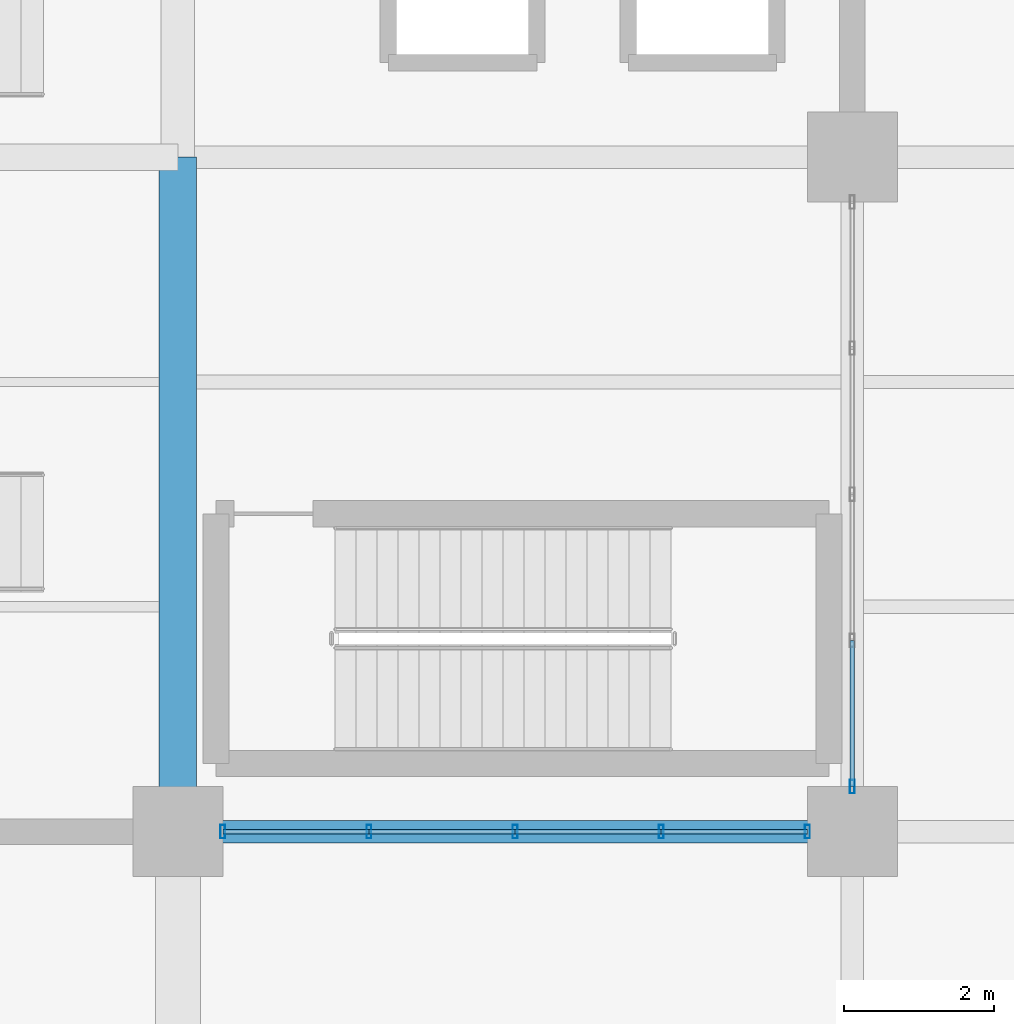
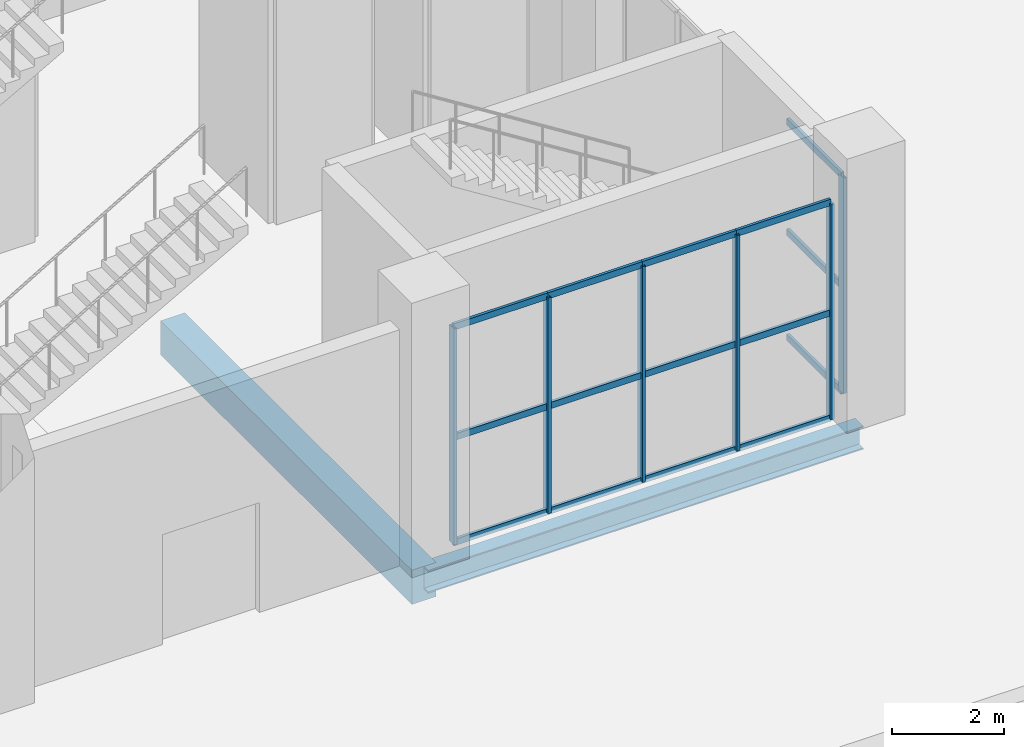
# One storey, part 35 of 144: 21 members, 2 beams, 2 elements without a shape of their own.
"""IFC4 building model written with IfcOpenShell, lengths in metres."""

from ifc_helpers import new_model, si_unit, direction, frame, origin, origin_2d, place, context, subcontext, project, spatial, rectangle, hollow_rectangle, i_section, extrude, material, layer, layer_set, material_profile, profile_set, type_object, element, aggregate, save


model = new_model("IFC4")

# Units and contexts
model_context = context("Model", 3, precision=1e-05, world=origin(), true_north=direction((0.0, 1.0)))
body_context = subcontext(model_context, "Body", "Model", "MODEL_VIEW")
ifc_project = project(units=[si_unit("LENGTHUNIT", "METRE"), si_unit("AREAUNIT", "SQUARE_METRE"), si_unit("VOLUMEUNIT", "CUBIC_METRE"), si_unit("PLANEANGLEUNIT", "RADIAN"), si_unit("MASSUNIT", "GRAM", prefix="KILO")], contexts=[model_context])

# Site, building, storey
site_placement = place(None, origin())
site = spatial("IfcSite", under=ifc_project, at=site_placement, CompositionType="ELEMENT")
building_placement = place(site_placement, origin())
building = spatial("IfcBuilding", under=site, at=building_placement, Name="Sundgate Opera House", CompositionType="ELEMENT")
storey_placement = place(building_placement, origin())
storey = spatial("IfcBuildingStorey", under=building, at=storey_placement, Name="L00", CompositionType="ELEMENT", Elevation=0.0)

# Beams
ifc_material_1 = material(Name="Steel S355J2", Category="steel")
ifc_material_profile_1 = material_profile(ifc_material_1, i_section(OverallWidth=0.300048828125, OverallDepth=0.5, WebThickness=0.014404296875, FlangeThickness=0.028076171875, at=origin_2d()), Name="HEB 500")
ifc_profile_set_1 = profile_set([ifc_material_profile_1], Name="Steel S355J2")
beam_type_1 = type_object("IfcBeamType", Name="BM-GR-HEB500", PredefinedType="BEAM", material=ifc_profile_set_1)
beam_1_placement = place(storey_placement, frame((63.0, 42.0, -0.570068359375), z_axis=(1.0, 0.0, 0.0), x_axis=(0.0, 1.0, 0.0)))
element("IfcBeam", 1, at=beam_1_placement, inside=storey, type_object=beam_type_1, Name="L00 Primary E-W Girder B0414", PredefinedType="BEAM", context=body_context, shape_type="SweptSolid", body=[
    extrude(i_section(OverallWidth=0.300048828125, OverallDepth=0.5, WebThickness=0.014404296875, FlangeThickness=0.028076171875, at=origin_2d()), origin(), (0.0, 0.0, 1.0), 9.0),
])
ifc_material_2 = material(Name="Concrete C40/50", Category="concrete")
ifc_material_profile_2 = material_profile(ifc_material_2, rectangle(XDim=0.5, YDim=0.75, at=origin_2d()), Name="RC 500x750")
ifc_profile_set_2 = profile_set([ifc_material_profile_2], Name="Concrete C40/50")
beam_type_2 = type_object("IfcBeamType", Name="BM-RC-500x750", PredefinedType="BEAM", material=ifc_profile_set_2)
beam_2_placement = place(storey_placement, frame((63.0, 42.0, -0.695068359375), z_axis=(0.0, 1.0, 0.0), x_axis=(-1.0, 0.0, 0.0)))
element("IfcBeam", 2, at=beam_2_placement, inside=storey, type_object=beam_type_2, Name="L00 Primary N-S Girder B0143", PredefinedType="BEAM", context=body_context, shape_type="SweptSolid", body=[
    extrude(rectangle(XDim=0.5, YDim=0.75, at=origin_2d()), origin(), (0.0, 0.0, 1.0), 9.0),
])

# Curtain wall, members
ifc_material_3 = material(Name="Anodized aluminium and low-iron glass", Category="aluminium")
ifc_layer = layer(ifc_material_3, 0.179931640625)
ifc_layer_set = layer_set([ifc_layer], Name="Anodized aluminium and low-iron glass")
curtain_wall_type = type_object("IfcCurtainWallType", Name="CW-FOYER-GLASS", PredefinedType="NOTDEFINED", material=ifc_layer_set)
curtain_wall_1_placement = place(storey_placement, origin())
curtain_wall_1 = element("IfcCurtainWall", 3, at=curtain_wall_1_placement, inside=storey, type_object=curtain_wall_type, Name="L00 Curtain Wall CW002", PredefinedType="NOTDEFINED")
ifc_material_4 = material(Name="Anodized aluminium EN AW-6063", Category="aluminium")
ifc_material_profile_3 = material_profile(ifc_material_4, hollow_rectangle(XDim=0.06494140625, YDim=0.179931640625, WallThickness=0.00390625, at=origin_2d()), Name="CWM 180x65x4")
ifc_profile_set_3 = profile_set([ifc_material_profile_3], Name="Anodized aluminium EN AW-6063")
member_type_1 = type_object("IfcMemberType", Name="CWM-ALU-180x65", PredefinedType="MULLION", material=ifc_profile_set_3)
member_1_placement = place(storey_placement, frame((71.39990234375, 42.0, 0.0), z_axis=(0.0, 0.0, 1.0), x_axis=(1.0, 0.0, 0.0)))
member_1 = element("IfcMember", 4, at=member_1_placement, type_object=member_type_1, Name="CW002 Mullion 1", PredefinedType="MULLION", context=body_context, shape_type="SweptSolid", body=[
    extrude(hollow_rectangle(XDim=0.06494140625, YDim=0.179931640625, WallThickness=0.00390625, at=origin_2d()), origin(), (0.0, 0.0, 1.0), 4.715087890625),
])
member_2_placement = place(storey_placement, frame((69.449951171875, 42.0, 0.0), z_axis=(0.0, 0.0, 1.0), x_axis=(1.0, 0.0, 0.0)))
member_2 = element("IfcMember", 5, at=member_2_placement, type_object=member_type_1, Name="CW002 Mullion 2", PredefinedType="MULLION", context=body_context, shape_type="SweptSolid", body=[
    extrude(hollow_rectangle(XDim=0.06494140625, YDim=0.179931640625, WallThickness=0.00390625, at=origin_2d()), origin(), (0.0, 0.0, 1.0), 4.715087890625),
])
member_3_placement = place(storey_placement, frame((67.5, 42.0, 0.0), z_axis=(0.0, 0.0, 1.0), x_axis=(1.0, 0.0, 0.0)))
member_3 = element("IfcMember", 6, at=member_3_placement, type_object=member_type_1, Name="CW002 Mullion 3", PredefinedType="MULLION", context=body_context, shape_type="SweptSolid", body=[
    extrude(hollow_rectangle(XDim=0.06494140625, YDim=0.179931640625, WallThickness=0.00390625, at=origin_2d()), origin(), (0.0, 0.0, 1.0), 4.715087890625),
])
member_4_placement = place(storey_placement, frame((65.550048828125, 42.0, 0.0), z_axis=(0.0, 0.0, 1.0), x_axis=(1.0, 0.0, 0.0)))
member_4 = element("IfcMember", 7, at=member_4_placement, type_object=member_type_1, Name="CW002 Mullion 4", PredefinedType="MULLION", context=body_context, shape_type="SweptSolid", body=[
    extrude(hollow_rectangle(XDim=0.06494140625, YDim=0.179931640625, WallThickness=0.00390625, at=origin_2d()), origin(), (0.0, 0.0, 1.0), 4.715087890625),
])
member_5_placement = place(storey_placement, frame((63.60009765625, 42.0, 0.0), z_axis=(0.0, 0.0, 1.0), x_axis=(1.0, 0.0, 0.0)))
member_5 = element("IfcMember", 8, at=member_5_placement, type_object=member_type_1, Name="CW002 Mullion 5", PredefinedType="MULLION", context=body_context, shape_type="SweptSolid", body=[
    extrude(hollow_rectangle(XDim=0.06494140625, YDim=0.179931640625, WallThickness=0.00390625, at=origin_2d()), origin(), (0.0, 0.0, 1.0), 4.715087890625),
])

# Curtain wall, member
curtain_wall_2_placement = place(storey_placement, origin())
curtain_wall_2 = element("IfcCurtainWall", 9, at=curtain_wall_2_placement, inside=storey, type_object=curtain_wall_type, Name="L00 Curtain Wall CW008", PredefinedType="NOTDEFINED")
member_6_placement = place(storey_placement, frame((72.0, 42.60009765625, 0.0), z_axis=(0.0, 0.0, 1.0), x_axis=(1.0, 0.0, 0.0)))
member_6 = element("IfcMember", 10, at=member_6_placement, type_object=member_type_1, Name="CW008 Mullion 1", PredefinedType="MULLION", context=body_context, shape_type="SweptSolid", body=[
    extrude(hollow_rectangle(XDim=0.06494140625, YDim=0.179931640625, WallThickness=0.00390625, at=origin_2d()), origin(), (0.0, 0.0, 1.0), 4.715087890625),
])

# Member
ifc_material_5 = material(Name="Anodized aluminium EN AW-6063", Category="aluminium")
ifc_material_profile_4 = material_profile(ifc_material_5, hollow_rectangle(XDim=0.06005859375, YDim=0.139892578125, WallThickness=0.00390625, at=origin_2d()), Name="CWT 140x60x4")
ifc_profile_set_4 = profile_set([ifc_material_profile_4], Name="Anodized aluminium EN AW-6063")
member_type_2 = type_object("IfcMemberType", Name="CWT-ALU-140x60", PredefinedType="USERDEFINED", material=ifc_profile_set_4)
member_7_placement = place(storey_placement, frame((71.39990234375, 42.0, 0.0), z_axis=(-1.0, 0.0, 0.0), x_axis=(0.0, -1.0, 0.0)))
member_7 = element("IfcMember", 11, at=member_7_placement, type_object=member_type_2, Name="CW002 Transom 1", ObjectType="TRANSOM", PredefinedType="USERDEFINED", context=body_context, shape_type="SweptSolid", body=[
    extrude(hollow_rectangle(XDim=0.06005859375, YDim=0.139892578125, WallThickness=0.00390625, at=origin_2d()), origin(), (0.0, 0.0, 1.0), 1.949951171875),
])

member_8_placement = place(storey_placement, frame((71.39990234375, 42.0, 2.300048828125), z_axis=(-1.0, 0.0, 0.0), x_axis=(0.0, -1.0, 0.0)))
member_8 = element("IfcMember", 12, at=member_8_placement, type_object=member_type_2, Name="CW002 Transom 2", ObjectType="TRANSOM", PredefinedType="USERDEFINED", context=body_context, shape_type="SweptSolid", body=[
    extrude(hollow_rectangle(XDim=0.06005859375, YDim=0.139892578125, WallThickness=0.00390625, at=origin_2d()), origin(), (0.0, 0.0, 1.0), 1.949951171875),
])

member_9_placement = place(storey_placement, frame((71.39990234375, 42.0, 4.715087890625), z_axis=(-1.0, 0.0, 0.0), x_axis=(0.0, -1.0, 0.0)))
member_9 = element("IfcMember", 13, at=member_9_placement, type_object=member_type_2, Name="CW002 Transom 3", ObjectType="TRANSOM", PredefinedType="USERDEFINED", context=body_context, shape_type="SweptSolid", body=[
    extrude(hollow_rectangle(XDim=0.06005859375, YDim=0.139892578125, WallThickness=0.00390625, at=origin_2d()), origin(), (0.0, 0.0, 1.0), 1.949951171875),
])

member_10_placement = place(storey_placement, frame((69.449951171875, 42.0, 0.0), z_axis=(-1.0, 0.0, 0.0), x_axis=(0.0, -1.0, 0.0)))
member_10 = element("IfcMember", 14, at=member_10_placement, type_object=member_type_2, Name="CW002 Transom 4", ObjectType="TRANSOM", PredefinedType="USERDEFINED", context=body_context, shape_type="SweptSolid", body=[
    extrude(hollow_rectangle(XDim=0.06005859375, YDim=0.139892578125, WallThickness=0.00390625, at=origin_2d()), origin(), (0.0, 0.0, 1.0), 1.949951171875),
])

member_11_placement = place(storey_placement, frame((69.449951171875, 42.0, 2.300048828125), z_axis=(-1.0, 0.0, 0.0), x_axis=(0.0, -1.0, 0.0)))
member_11 = element("IfcMember", 15, at=member_11_placement, type_object=member_type_2, Name="CW002 Transom 5", ObjectType="TRANSOM", PredefinedType="USERDEFINED", context=body_context, shape_type="SweptSolid", body=[
    extrude(hollow_rectangle(XDim=0.06005859375, YDim=0.139892578125, WallThickness=0.00390625, at=origin_2d()), origin(), (0.0, 0.0, 1.0), 1.949951171875),
])

member_12_placement = place(storey_placement, frame((69.449951171875, 42.0, 4.715087890625), z_axis=(-1.0, 0.0, 0.0), x_axis=(0.0, -1.0, 0.0)))
member_12 = element("IfcMember", 16, at=member_12_placement, type_object=member_type_2, Name="CW002 Transom 6", ObjectType="TRANSOM", PredefinedType="USERDEFINED", context=body_context, shape_type="SweptSolid", body=[
    extrude(hollow_rectangle(XDim=0.06005859375, YDim=0.139892578125, WallThickness=0.00390625, at=origin_2d()), origin(), (0.0, 0.0, 1.0), 1.949951171875),
])

member_13_placement = place(storey_placement, frame((67.5, 42.0, 0.0), z_axis=(-1.0, 0.0, 0.0), x_axis=(0.0, -1.0, 0.0)))
member_13 = element("IfcMember", 17, at=member_13_placement, type_object=member_type_2, Name="CW002 Transom 7", ObjectType="TRANSOM", PredefinedType="USERDEFINED", context=body_context, shape_type="SweptSolid", body=[
    extrude(hollow_rectangle(XDim=0.06005859375, YDim=0.139892578125, WallThickness=0.00390625, at=origin_2d()), origin(), (0.0, 0.0, 1.0), 1.949951171875),
])

member_14_placement = place(storey_placement, frame((67.5, 42.0, 2.300048828125), z_axis=(-1.0, 0.0, 0.0), x_axis=(0.0, -1.0, 0.0)))
member_14 = element("IfcMember", 18, at=member_14_placement, type_object=member_type_2, Name="CW002 Transom 8", ObjectType="TRANSOM", PredefinedType="USERDEFINED", context=body_context, shape_type="SweptSolid", body=[
    extrude(hollow_rectangle(XDim=0.06005859375, YDim=0.139892578125, WallThickness=0.00390625, at=origin_2d()), origin(), (0.0, 0.0, 1.0), 1.949951171875),
])

member_15_placement = place(storey_placement, frame((67.5, 42.0, 4.715087890625), z_axis=(-1.0, 0.0, 0.0), x_axis=(0.0, -1.0, 0.0)))
member_15 = element("IfcMember", 19, at=member_15_placement, type_object=member_type_2, Name="CW002 Transom 9", ObjectType="TRANSOM", PredefinedType="USERDEFINED", context=body_context, shape_type="SweptSolid", body=[
    extrude(hollow_rectangle(XDim=0.06005859375, YDim=0.139892578125, WallThickness=0.00390625, at=origin_2d()), origin(), (0.0, 0.0, 1.0), 1.949951171875),
])

member_16_placement = place(storey_placement, frame((65.550048828125, 42.0, 0.0), z_axis=(-1.0, 0.0, 0.0), x_axis=(0.0, -1.0, 0.0)))
member_16 = element("IfcMember", 20, at=member_16_placement, type_object=member_type_2, Name="CW002 Transom 10", ObjectType="TRANSOM", PredefinedType="USERDEFINED", context=body_context, shape_type="SweptSolid", body=[
    extrude(hollow_rectangle(XDim=0.06005859375, YDim=0.139892578125, WallThickness=0.00390625, at=origin_2d()), origin(), (0.0, 0.0, 1.0), 1.949951171875),
])

member_17_placement = place(storey_placement, frame((65.550048828125, 42.0, 2.300048828125), z_axis=(-1.0, 0.0, 0.0), x_axis=(0.0, -1.0, 0.0)))
member_17 = element("IfcMember", 21, at=member_17_placement, type_object=member_type_2, Name="CW002 Transom 11", ObjectType="TRANSOM", PredefinedType="USERDEFINED", context=body_context, shape_type="SweptSolid", body=[
    extrude(hollow_rectangle(XDim=0.06005859375, YDim=0.139892578125, WallThickness=0.00390625, at=origin_2d()), origin(), (0.0, 0.0, 1.0), 1.949951171875),
])

member_18_placement = place(storey_placement, frame((65.550048828125, 42.0, 4.715087890625), z_axis=(-1.0, 0.0, 0.0), x_axis=(0.0, -1.0, 0.0)))
member_18 = element("IfcMember", 22, at=member_18_placement, type_object=member_type_2, Name="CW002 Transom 12", ObjectType="TRANSOM", PredefinedType="USERDEFINED", context=body_context, shape_type="SweptSolid", body=[
    extrude(hollow_rectangle(XDim=0.06005859375, YDim=0.139892578125, WallThickness=0.00390625, at=origin_2d()), origin(), (0.0, 0.0, 1.0), 1.949951171875),
])

aggregate(curtain_wall_1, [member_1, member_2, member_3, member_4, member_5, member_7, member_8, member_9, member_10, member_11, member_12, member_13, member_14, member_15, member_16, member_17, member_18])

member_19_placement = place(storey_placement, frame((72.0, 42.60009765625, 0.0), z_axis=(0.0, 1.0, 0.0), x_axis=(-1.0, 0.0, 0.0)))
member_19 = element("IfcMember", 23, at=member_19_placement, type_object=member_type_2, Name="CW008 Transom 1", ObjectType="TRANSOM", PredefinedType="USERDEFINED", context=body_context, shape_type="SweptSolid", body=[
    extrude(hollow_rectangle(XDim=0.06005859375, YDim=0.139892578125, WallThickness=0.00390625, at=origin_2d()), origin(), (0.0, 0.0, 1.0), 1.949951171875),
])

member_20_placement = place(storey_placement, frame((72.0, 42.60009765625, 2.300048828125), z_axis=(0.0, 1.0, 0.0), x_axis=(-1.0, 0.0, 0.0)))
member_20 = element("IfcMember", 24, at=member_20_placement, type_object=member_type_2, Name="CW008 Transom 2", ObjectType="TRANSOM", PredefinedType="USERDEFINED", context=body_context, shape_type="SweptSolid", body=[
    extrude(hollow_rectangle(XDim=0.06005859375, YDim=0.139892578125, WallThickness=0.00390625, at=origin_2d()), origin(), (0.0, 0.0, 1.0), 1.949951171875),
])

member_21_placement = place(storey_placement, frame((72.0, 42.60009765625, 4.715087890625), z_axis=(0.0, 1.0, 0.0), x_axis=(-1.0, 0.0, 0.0)))
member_21 = element("IfcMember", 25, at=member_21_placement, type_object=member_type_2, Name="CW008 Transom 3", ObjectType="TRANSOM", PredefinedType="USERDEFINED", context=body_context, shape_type="SweptSolid", body=[
    extrude(hollow_rectangle(XDim=0.06005859375, YDim=0.139892578125, WallThickness=0.00390625, at=origin_2d()), origin(), (0.0, 0.0, 1.0), 1.949951171875),
])

aggregate(curtain_wall_2, [member_6, member_19, member_20, member_21])

save(model, "model.ifc")
